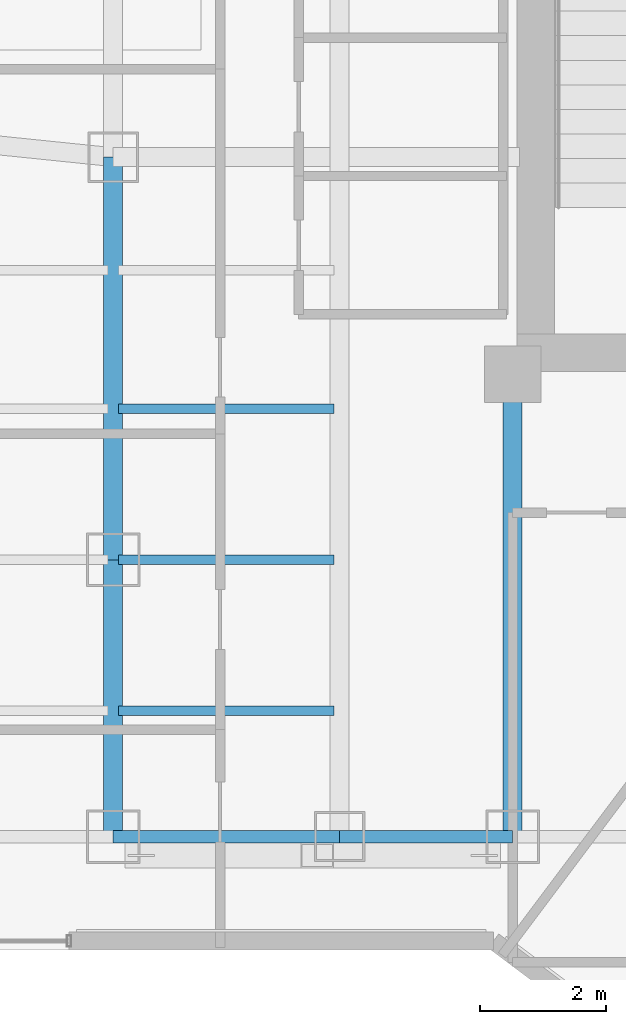
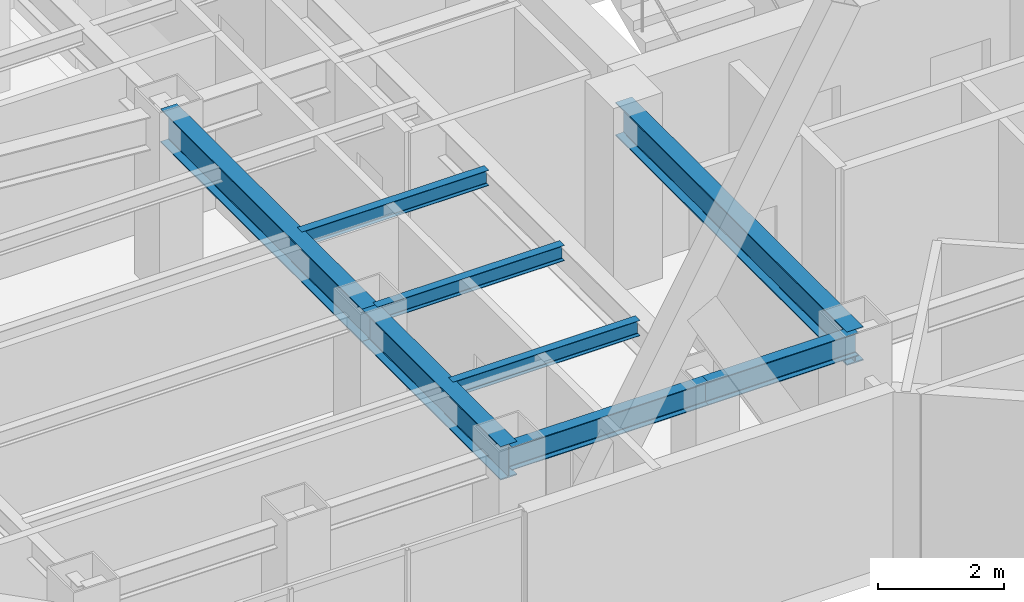
# One storey, part 5 of 27: 8 beams.
"""IFC4 building model written with IfcOpenShell, lengths in metres."""

from ifc_helpers import new_model, si_unit, direction, frame, origin, origin_2d, place, context, subcontext, project, spatial, i_section, extrude, material, material_profile, profile_set, type_object, element, save


model = new_model("IFC4")

# Units and contexts
model_context = context("Model", 3, precision=1e-05, world=origin(), true_north=direction((0.0, 1.0)))
body_context = subcontext(model_context, "Body", "Model", "MODEL_VIEW")
ifc_project = project(units=[si_unit("LENGTHUNIT", "METRE"), si_unit("AREAUNIT", "SQUARE_METRE"), si_unit("VOLUMEUNIT", "CUBIC_METRE"), si_unit("PLANEANGLEUNIT", "RADIAN"), si_unit("MASSUNIT", "GRAM", prefix="KILO")], contexts=[model_context])

# Site, building, storey
site_placement = place(None, origin())
site = spatial("IfcSite", under=ifc_project, at=site_placement, CompositionType="ELEMENT")
building_placement = place(site_placement, origin())
building = spatial("IfcBuilding", under=site, at=building_placement, Name="Hatsunagi Terrace Concourse", CompositionType="ELEMENT")
storey_placement = place(building_placement, frame((0.0, 0.0, 145.64990234375)))
storey = spatial("IfcBuildingStorey", under=building, at=storey_placement, Name="L38", CompositionType="ELEMENT", Elevation=145.64990234375)

# Beams
ifc_material_1 = material(Name="Steel SN490B", Category="steel")
ifc_material_profile_1 = material_profile(ifc_material_1, i_section(OverallWidth=0.14990234375, OverallDepth=0.300048828125, WebThickness=0.006591796875, FlangeThickness=0.009033203125, FilletRadius=0.010986328125, at=origin_2d()), Name="H-300x150x6.5x9")
ifc_profile_set_1 = profile_set([ifc_material_profile_1], Name="Steel SN490B")
beam_type_1 = type_object("IfcBeamType", Name="OfficeJoist_H_300x150", PredefinedType="JOIST", material=ifc_profile_set_1)
for number, where, z_axis, x_axis, name in (
    (1, (19.284912109375, 27.199951171875, 3.2001953125), (1.0, 0.0, 0.0), (0.0, 1.0, 0.0), "Beam J-03 J-L38-W-19-272"),
    (2, (19.284912109375, 29.60009765625, 3.2001953125), (1.0, 0.0, 0.0), (0.0, 1.0, 0.0), "Beam J-03 J-L38-W-19-296"),
    (3, (19.284912109375, 32.0, 3.2001953125), (1.0, 0.0, 0.0), (0.0, 1.0, 0.0), "Beam J-03 J-L38-W-19-320"),
):
    element("IfcBeam", number, at=place(storey_placement, frame(where, z_axis=z_axis, x_axis=x_axis)), inside=storey, type_object=beam_type_1, Name=name, PredefinedType="JOIST", context=body_context, shape_type="SweptSolid", body=[
        extrude(i_section(OverallWidth=0.14990234375, OverallDepth=0.300048828125, WebThickness=0.006591796875, FlangeThickness=0.009033203125, FilletRadius=0.010986328125, at=origin_2d()), origin(), (0.0, 0.0, 1.0), 3.43017578125),
    ])
ifc_material_2 = material(Name="Steel SN490B", Category="steel")
ifc_material_profile_2 = material_profile(ifc_material_2, i_section(OverallWidth=0.300048828125, OverallDepth=0.64990234375, WebThickness=0.012939453125, FlangeThickness=0.02197265625, FilletRadius=0.01806640625, at=origin_2d()), Name="H-650x300x13x22")
ifc_profile_set_2 = profile_set([ifc_material_profile_2], Name="Steel SN490B")
beam_type_2 = type_object("IfcBeamType", Name="OfficeLowGirder_H_650x300", PredefinedType="BEAM", material=ifc_profile_set_2)
beam_1_placement = place(storey_placement, frame((25.550048828125, 25.199951171875, 3.025146484375), z_axis=(0.0, 1.0, 0.0), x_axis=(-1.0, 0.0, 0.0)))
element("IfcBeam", 4, at=beam_1_placement, inside=storey, type_object=beam_type_2, Name="Beam G-05 BM-L38-K1CA", PredefinedType="BEAM", context=body_context, shape_type="SweptSolid", body=[
    extrude(i_section(OverallWidth=0.300048828125, OverallDepth=0.64990234375, WebThickness=0.012939453125, FlangeThickness=0.02197265625, FilletRadius=0.01806640625, at=origin_2d()), origin(), (0.0, 0.0, 1.0), 7.35009765625),
])
beam_2_placement = place(storey_placement, frame((19.199951171875, 25.199951171875, 3.025146484375), z_axis=(0.0, 1.0, 0.0), x_axis=(-1.0, 0.0, 0.0)))
element("IfcBeam", 5, at=beam_2_placement, inside=storey, type_object=beam_type_2, Name="Beam G-05 BM-L38-NS-19-25", PredefinedType="BEAM", context=body_context, shape_type="SweptSolid", body=[
    extrude(i_section(OverallWidth=0.300048828125, OverallDepth=0.64990234375, WebThickness=0.012939453125, FlangeThickness=0.02197265625, FilletRadius=0.01806640625, at=origin_2d()), origin(), (0.0, 0.0, 1.0), 4.400146484375),
])
beam_3_placement = place(storey_placement, frame((19.199951171875, 29.60009765625, 3.025146484375), z_axis=(0.0, 1.0, 0.0), x_axis=(-1.0, 0.0, 0.0)))
element("IfcBeam", 6, at=beam_3_placement, inside=storey, type_object=beam_type_2, Name="Beam G-05 BM-L38-NS-19-29", PredefinedType="BEAM", context=body_context, shape_type="SweptSolid", body=[
    extrude(i_section(OverallWidth=0.300048828125, OverallDepth=0.64990234375, WebThickness=0.012939453125, FlangeThickness=0.02197265625, FilletRadius=0.01806640625, at=origin_2d()), origin(), (0.0, 0.0, 1.0), 6.39990234375),
])
ifc_material_3 = material(Name="Steel SN490B", Category="steel")
ifc_material_profile_3 = material_profile(ifc_material_3, i_section(OverallWidth=0.199951171875, OverallDepth=0.449951171875, WebThickness=0.009033203125, FlangeThickness=0.013916015625, FilletRadius=0.01611328125, at=origin_2d()), Name="H-450x200x9x14")
ifc_profile_set_3 = profile_set([ifc_material_profile_3], Name="Steel SN490B")
beam_type_3 = type_object("IfcBeamType", Name="PerimeterSpandrel_H_450x200", PredefinedType="SPANDREL", material=ifc_profile_set_3)
beam_4_placement = place(storey_placement, frame((19.199951171875, 25.199951171875, 3.125), z_axis=(1.0, 0.0, 0.0), x_axis=(0.0, 1.0, 0.0)))
element("IfcBeam", 7, at=beam_4_placement, inside=storey, type_object=beam_type_3, Name="Beam SP-02 BM-L38-WS-19", PredefinedType="SPANDREL", context=body_context, shape_type="SweptSolid", body=[
    extrude(i_section(OverallWidth=0.199951171875, OverallDepth=0.449951171875, WebThickness=0.009033203125, FlangeThickness=0.013916015625, FilletRadius=0.01611328125, at=origin_2d()), origin(), (0.0, 0.0, 1.0), 3.60009765625),
])
beam_5_placement = place(storey_placement, frame((22.800048828125, 25.199951171875, 3.125), z_axis=(1.0, 0.0, 0.0), x_axis=(0.0, 1.0, 0.0)))
element("IfcBeam", 8, at=beam_5_placement, inside=storey, type_object=beam_type_3, Name="Beam SP-02 BM-L38-WS-22", PredefinedType="SPANDREL", context=body_context, shape_type="SweptSolid", body=[
    extrude(i_section(OverallWidth=0.199951171875, OverallDepth=0.449951171875, WebThickness=0.009033203125, FlangeThickness=0.013916015625, FilletRadius=0.01611328125, at=origin_2d()), origin(), (0.0, 0.0, 1.0), 2.75),
])

save(model, "model.ifc")
